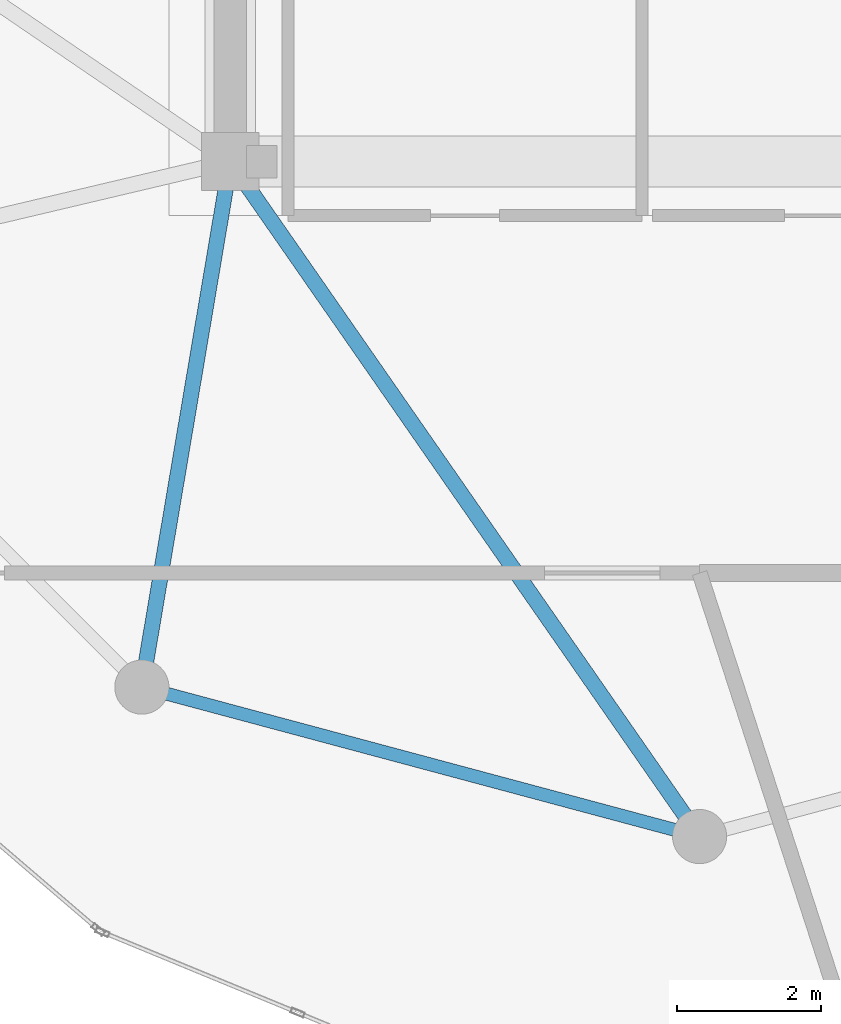
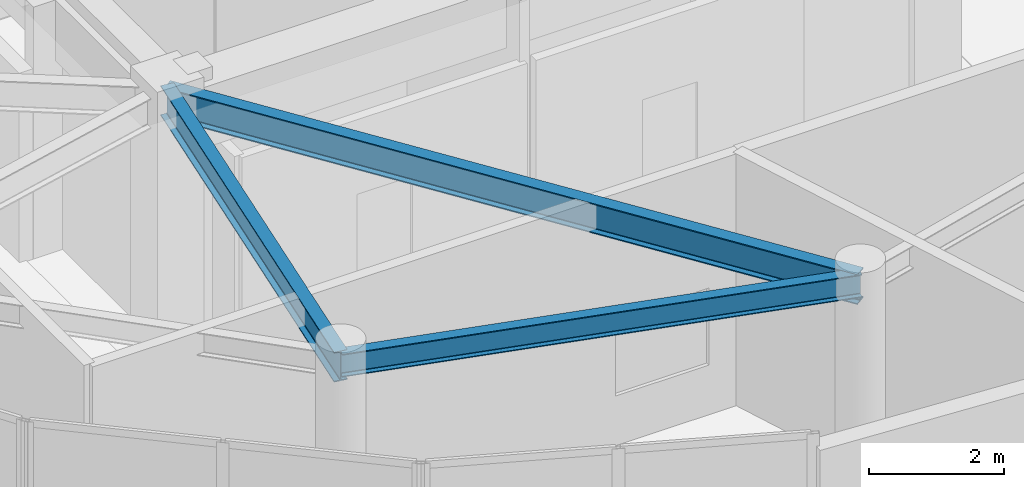
# One storey, part 3 of 21: 3 beams.
"""IFC4 building model written with IfcOpenShell, lengths in metres."""

from ifc_helpers import new_model, si_unit, direction, frame, origin, origin_2d, place, context, subcontext, project, spatial, i_section, extrude, material, material_profile, profile_set, type_object, element, save


model = new_model("IFC4")

# Units and contexts
model_context = context("Model", 3, precision=1e-05, world=origin(), true_north=direction((0.0, 1.0)))
body_context = subcontext(model_context, "Body", "Model", "MODEL_VIEW")
ifc_project = project(units=[si_unit("LENGTHUNIT", "METRE"), si_unit("AREAUNIT", "SQUARE_METRE"), si_unit("VOLUMEUNIT", "CUBIC_METRE"), si_unit("PLANEANGLEUNIT", "RADIAN"), si_unit("MASSUNIT", "GRAM", prefix="KILO")], contexts=[model_context])

# Site, building, storey
site_placement = place(None, origin())
site = spatial("IfcSite", under=ifc_project, at=site_placement, CompositionType="ELEMENT")
building_placement = place(site_placement, origin())
building = spatial("IfcBuilding", under=site, at=building_placement, Name="Solvirekh Grand Hotel", CompositionType="ELEMENT")
storey_placement = place(building_placement, frame((0.0, 0.0, 262.0)))
storey = spatial("IfcBuildingStorey", under=building, at=storey_placement, Name="L68", CompositionType="ELEMENT", Elevation=262.0)

# Beams
ifc_material = material(Name="Steel S355", Category="steel")
ifc_material_profile_1 = material_profile(ifc_material, i_section(OverallWidth=0.2119140625, OverallDepth=0.5439453125, WebThickness=0.011962890625, FlangeThickness=0.01904296875, FilletRadius=0.013916015625, at=origin_2d()), Name="W530X123")
ifc_profile_set_1 = profile_set([ifc_material_profile_1], Name="Steel S355")
beam_type_1 = type_object("IfcBeamType", Name="Beam_Radial_W530H", PredefinedType="BEAM", material=ifc_profile_set_1)
beam_1_placement = place(storey_placement, frame((-6.5, -6.10009765625, 4.298095703125), z_axis=(-0.165954049106, -0.986133486697, 0.0), x_axis=(0.986133486697, -0.165954049106, 0.0)))
element("IfcBeam", 1, at=beam_1_placement, inside=storey, type_object=beam_type_1, Name="L68 radial floor beam R09", PredefinedType="BEAM", context=body_context, shape_type="SweptSolid", body=[
    extrude(i_section(OverallWidth=0.2119140625, OverallDepth=0.5439453125, WebThickness=0.011962890625, FlangeThickness=0.01904296875, FilletRadius=0.013916015625, at=origin_2d()), origin(), (0.0, 0.0, 1.0), 7.382080078125),
])
beam_2_placement = place(storey_placement, frame((-6.5, -6.10009765625, 4.298095703125), z_axis=(0.570813192472, -0.821079959139, 0.0), x_axis=(0.821079959139, 0.570813192472, 0.0)))
element("IfcBeam", 2, at=beam_2_placement, inside=storey, type_object=beam_type_1, Name="L68 radial floor beam R10", PredefinedType="BEAM", context=body_context, shape_type="SweptSolid", body=[
    extrude(i_section(OverallWidth=0.2119140625, OverallDepth=0.5439453125, WebThickness=0.011962890625, FlangeThickness=0.01904296875, FilletRadius=0.013916015625, at=origin_2d()), origin(), (0.0, 0.0, 1.0), 11.38720703125),
])
ifc_material_profile_2 = material_profile(ifc_material, i_section(OverallWidth=0.180908203125, OverallDepth=0.4169921875, WebThickness=0.010009765625, FlangeThickness=0.01611328125, FilletRadius=0.011962890625, at=origin_2d()), Name="W410X85")
ifc_profile_set_2 = profile_set([ifc_material_profile_2], Name="Steel S355")
beam_type_2 = type_object("IfcBeamType", Name="Spandrel_Ring_W410", PredefinedType="SPANDREL", material=ifc_profile_set_2)
beam_3_placement = place(storey_placement, frame((-7.72509765625, -13.3798828125, 4.361083984375), z_axis=(0.965921616143, -0.258834757072, 0.0), x_axis=(0.258834757072, 0.965921616143, 0.0)))
element("IfcBeam", 3, at=beam_3_placement, inside=storey, type_object=beam_type_2, Name="L68 perimeter spandrel beam 9", PredefinedType="SPANDREL", context=body_context, shape_type="SweptSolid", body=[
    extrude(i_section(OverallWidth=0.180908203125, OverallDepth=0.4169921875, WebThickness=0.010009765625, FlangeThickness=0.01611328125, FilletRadius=0.011962890625, at=origin_2d()), origin(), (0.0, 0.0, 1.0), 7.99755859375),
])

save(model, "model.ifc")
